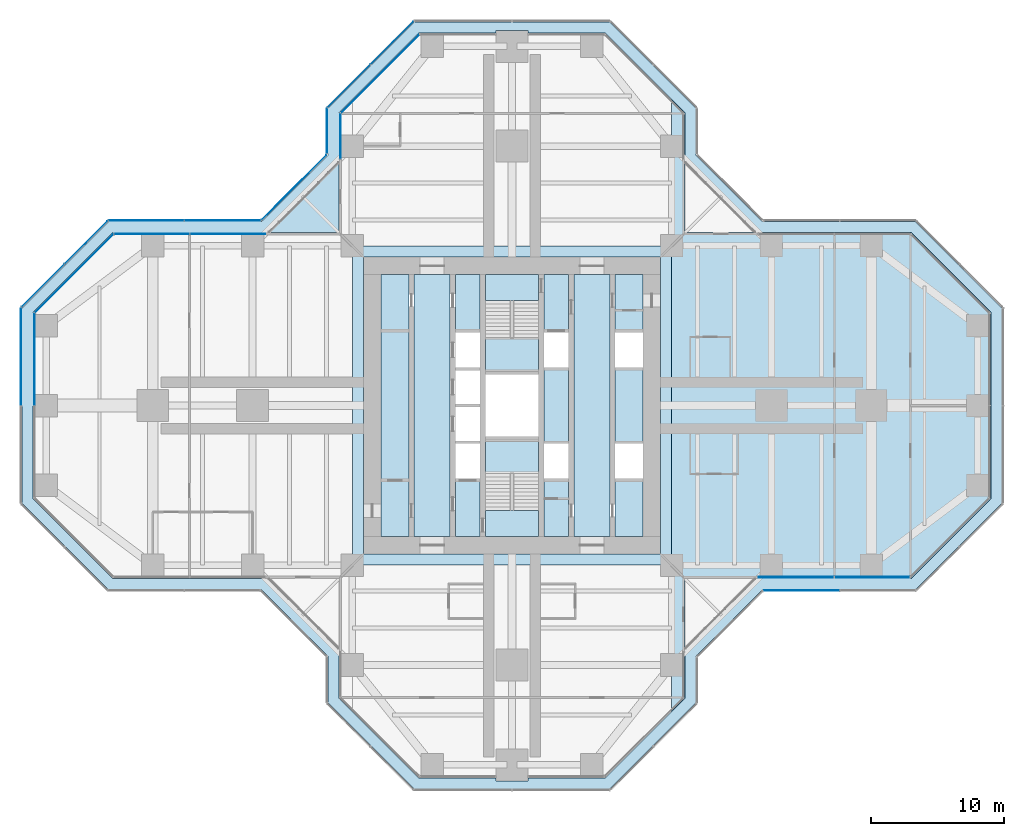
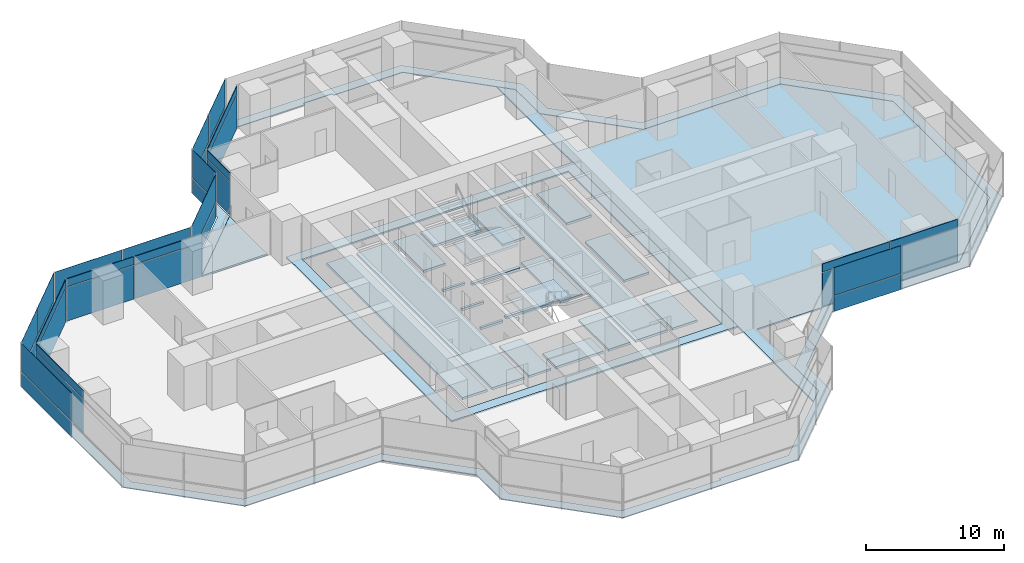
# One storey, part 13 of 19: 37 plates, 8 slabs, 15 elements without a shape of their own.
"""IFC4 building model written with IfcOpenShell, lengths in metres."""

from ifc_helpers import new_model, si_unit, direction, frame, origin, origin_2d, place, context, subcontext, project, spatial, polyline, rectangle, outline, extrude, material, layer, layer_set, type_object, element, aggregate, save


model = new_model("IFC4")

# Units and contexts
model_context = context("Model", 3, precision=1e-05, world=origin(), true_north=direction((0.0, 1.0)))
body_context = subcontext(model_context, "Body", "Model", "MODEL_VIEW")
ifc_project = project(units=[si_unit("LENGTHUNIT", "METRE"), si_unit("AREAUNIT", "SQUARE_METRE"), si_unit("VOLUMEUNIT", "CUBIC_METRE"), si_unit("PLANEANGLEUNIT", "RADIAN"), si_unit("MASSUNIT", "GRAM", prefix="KILO")], contexts=[model_context])

# Site, building, storey
site_placement = place(None, origin())
site = spatial("IfcSite", under=ifc_project, at=site_placement, CompositionType="ELEMENT")
building_placement = place(site_placement, origin())
building = spatial("IfcBuilding", under=site, at=building_placement, Name="Mizan Broadcast Tower", CompositionType="ELEMENT")
storey_placement = place(building_placement, frame((0.0, 0.0, 186.60009765625)))
storey = spatial("IfcBuildingStorey", under=building, at=storey_placement, Name="L43", CompositionType="ELEMENT", Elevation=186.60009765625)

# Plate
ifc_material_1 = material(Name="Aluminium grating", Category="aluminium")
ifc_layer_1 = layer(ifc_material_1, 0.050048828125)
ifc_layer_set_1 = layer_set([ifc_layer_1], Name="Aluminium grating")
plate_type_1 = type_object("IfcPlateType", Name="CAVITY GRATING", PredefinedType="USERDEFINED", material=ifc_layer_set_1)
plate_1_placement = place(storey_placement, frame((0.0, 0.0, -0.050048828125)))
element("IfcPlate", 1, at=plate_1_placement, inside=storey, type_object=plate_type_1, Name="Cavity grating L43", ObjectType="GRATING", PredefinedType="USERDEFINED", context=body_context, shape_type="SweptSolid", body=[
    extrude(outline(polyline([(13.820068359375, -18.839599609375), (18.839599609375, -13.820068359375), (30.339599609375, -13.820068359375), (36.820068359375, -7.339599609375), (36.820068359375, 7.339599609375), (30.339599609375, 13.820068359375), (18.839599609375, 13.820068359375), (13.820068359375, 18.839599609375), (13.820068359375, 22.339599609375), (7.339599609375, 28.820068359375), (-7.339599609375, 28.820068359375), (-13.820068359375, 22.339599609375), (-13.820068359375, 18.839599609375), (-18.839599609375, 13.820068359375), (-30.339599609375, 13.820068359375), (-36.820068359375, 7.339599609375), (-36.820068359375, -7.339599609375), (-30.339599609375, -13.820068359375), (-18.839599609375, -13.820068359375), (-13.820068359375, -18.839599609375), (-13.820068359375, -22.339599609375), (-7.339599609375, -28.820068359375), (7.339599609375, -28.820068359375), (13.820068359375, -22.339599609375), (13.820068359375, -18.839599609375)]), holes=[polyline([(36.0, 7.0), (36.0, -7.0), (30.0, -13.0), (18.5, -13.0), (13.0, -18.5), (13.0, -22.0), (7.0, -28.0), (1.199951171875, -28.0), (1.199951171875, -28.199951171875), (-1.199951171875, -28.199951171875), (-1.199951171875, -28.0), (-7.0, -28.0), (-13.0, -22.0), (-13.0, -18.5), (-18.5, -13.0), (-30.0, -13.0), (-36.0, -7.0), (-36.0, 7.0), (-30.0, 13.0), (-18.5, 13.0), (-13.0, 18.5), (-13.0, 22.0), (-7.0, 28.0), (-1.199951171875, 28.0), (-1.199951171875, 28.199951171875), (1.199951171875, 28.199951171875), (1.199951171875, 28.0), (7.0, 28.0), (13.0, 22.0), (13.0, 18.5), (18.5, 13.0), (30.0, 13.0), (36.0, 7.0)])]), origin(), (0.0, 0.0, 1.0), 0.050048828125),
])

# Slabs
ifc_material_2 = material(Name="Concrete C32/40", Category="concrete")
ifc_layer_2 = layer(ifc_material_2, 0.1298828125)
ifc_layer_set_2 = layer_set([ifc_layer_2], Name="Concrete C32/40")
slab_type_1 = type_object("IfcSlabType", Name="COMPOSITE DECK SLAB 130", PredefinedType="FLOOR", material=ifc_layer_set_2)
slab_1_placement = place(storey_placement, frame((0.0, 0.0, -0.130126953125)))
element("IfcSlab", 2, at=slab_1_placement, inside=storey, type_object=slab_type_1, Name="Floor slab L43 centre", PredefinedType="FLOOR", context=body_context, shape_type="SweptSolid", body=[
    extrude(outline(polyline([(-12.0, -12.0), (12.0, -12.0), (12.0, 12.0), (-12.0, 12.0), (-12.0, -12.0)]), holes=[polyline([(-11.14990234375, 11.14990234375), (11.14990234375, 11.14990234375), (11.14990234375, -11.14990234375), (-11.14990234375, -11.14990234375), (-11.14990234375, 11.14990234375)])]), origin(), (0.0, 0.0, 1.0), 0.130126953125),
])
slab_2_placement = place(storey_placement, frame((0.0, 0.0, -0.130126953125)))
element("IfcSlab", 3, at=slab_2_placement, inside=storey, type_object=slab_type_1, Name="Floor slab L43 east arm", PredefinedType="FLOOR", context=body_context, shape_type="SweptSolid", body=[
    extrude(outline(polyline([(12.0, -23.0), (13.0, -22.0), (13.0, -13.0), (30.0, -13.0), (36.0, -7.0), (36.0, 7.0), (30.0, 13.0), (13.0, 13.0), (13.0, 22.0), (12.0, 23.0), (12.0, -23.0)])), origin(), (0.0, 0.0, 1.0), 0.130126953125),
])
ifc_material_3 = material(Name="Concrete C40/50", Category="concrete")
ifc_layer_3 = layer(ifc_material_3, 0.199951171875)
ifc_layer_set_3 = layer_set([ifc_layer_3], Name="Concrete C40/50")
slab_type_2 = type_object("IfcSlabType", Name="CORE FLOOR 200", PredefinedType="FLOOR", material=ifc_layer_set_3)
slab_3_placement = place(storey_placement, frame((0.0, 0.0, -0.2001953125)))
element("IfcSlab", 4, at=slab_3_placement, inside=storey, type_object=slab_type_2, Name="Core floor L43", PredefinedType="FLOOR", context=body_context, shape_type="SweptSolid", body=[
    extrude(outline(polyline([(-9.85009765625, -9.85009765625), (-7.75, -9.85009765625), (-7.75, 9.85009765625), (-9.85009765625, 9.85009765625), (-9.85009765625, -9.85009765625)])), origin(), (0.0, 0.0, 1.0), 0.2001953125),
    extrude(outline(polyline([(-4.64990234375, 9.85009765625), (-7.35009765625, 9.85009765625), (-7.35009765625, -9.85009765625), (-4.64990234375, -9.85009765625), (-4.64990234375, 9.85009765625)])), origin(), (0.0, 0.0, 1.0), 0.2001953125),
    extrude(outline(polyline([(-4.25, -5.5), (-4.25, -9.85009765625), (-2.39990234375, -9.85009765625), (-2.39990234375, -5.5), (-4.25, -5.5)])), origin(), (0.0, 0.0, 1.0), 0.2001953125),
    extrude(outline(polyline([(-4.25, -2.85009765625), (-2.39990234375, -2.85009765625), (-2.39990234375, -2.64990234375), (-4.25, -2.64990234375), (-4.25, -2.85009765625)])), origin(), (0.0, 0.0, 1.0), 0.2001953125),
    extrude(outline(polyline([(-4.25, -0.10009765625), (-2.39990234375, -0.10009765625), (-2.39990234375, 0.10009765625), (-4.25, 0.10009765625), (-4.25, -0.10009765625)])), origin(), (0.0, 0.0, 1.0), 0.2001953125),
    extrude(outline(polyline([(-4.25, 2.64990234375), (-2.39990234375, 2.64990234375), (-2.39990234375, 2.85009765625), (-4.25, 2.85009765625), (-4.25, 2.64990234375)])), origin(), (0.0, 0.0, 1.0), 0.2001953125),
    extrude(outline(polyline([(-4.25, 5.5), (-2.39990234375, 5.5), (-2.39990234375, 9.85009765625), (-4.25, 9.85009765625), (-4.25, 5.5)])), origin(), (0.0, 0.0, 1.0), 0.2001953125),
    extrude(outline(polyline([(2.0, -2.324951171875), (-2.0, -2.324951171875), (-2.0, -2.574951171875), (2.0, -2.574951171875), (2.0, -2.324951171875)])), origin(), (0.0, 0.0, 1.0), 0.2001953125),
    extrude(outline(polyline([(2.0, 2.574951171875), (-2.0, 2.574951171875), (-2.0, 2.324951171875), (2.0, 2.324951171875), (2.0, 2.574951171875)])), origin(), (0.0, 0.0, 1.0), 0.2001953125),
    extrude(outline(polyline([(4.25, -9.85009765625), (4.25, -5.5), (2.39990234375, -5.5), (2.39990234375, -9.85009765625), (4.25, -9.85009765625)])), origin(), (0.0, 0.0, 1.0), 0.2001953125),
    extrude(outline(polyline([(4.25, -2.85009765625), (4.25, 2.85009765625), (2.39990234375, 2.85009765625), (2.39990234375, -2.85009765625), (4.25, -2.85009765625)])), origin(), (0.0, 0.0, 1.0), 0.2001953125),
    extrude(outline(polyline([(4.25, 5.5), (4.25, 9.85009765625), (2.39990234375, 9.85009765625), (2.39990234375, 5.5), (4.25, 5.5)])), origin(), (0.0, 0.0, 1.0), 0.2001953125),
    extrude(outline(polyline([(4.64990234375, 9.85009765625), (4.64990234375, -9.85009765625), (7.35009765625, -9.85009765625), (7.35009765625, 9.85009765625), (4.64990234375, 9.85009765625)])), origin(), (0.0, 0.0, 1.0), 0.2001953125),
    extrude(outline(polyline([(9.85009765625, -9.85009765625), (9.85009765625, -5.5), (7.75, -5.5), (7.75, -9.85009765625), (9.85009765625, -9.85009765625)])), origin(), (0.0, 0.0, 1.0), 0.2001953125),
    extrude(outline(polyline([(7.75, -2.85009765625), (9.85009765625, -2.85009765625), (9.85009765625, 2.85009765625), (7.75, 2.85009765625), (7.75, -2.85009765625)])), origin(), (0.0, 0.0, 1.0), 0.2001953125),
    extrude(outline(polyline([(9.85009765625, 5.5), (9.85009765625, 9.85009765625), (7.75, 9.85009765625), (7.75, 5.5), (9.85009765625, 5.5)])), origin(), (0.0, 0.0, 1.0), 0.2001953125),
])

# Curtain wall, plates
ifc_material_4 = material(Name="Aluminium framed glazing", Category="aluminium")
curtain_wall_type_1 = type_object("IfcCurtainWallType", Name="INNER SKIN MID ZONE", PredefinedType="USERDEFINED", material=ifc_material_4)
curtain_wall_1_placement = place(storey_placement, origin())
curtain_wall_1 = element("IfcCurtainWall", 5, at=curtain_wall_1_placement, inside=storey, type_object=curtain_wall_type_1, Name="Inner skin mid zone L43 E side", ObjectType="INNER SKIN MID ZONE", PredefinedType="USERDEFINED")
ifc_material_5 = material(Name="Double glazing, clear low-e", Category="glass")
ifc_layer_4 = layer(ifc_material_5, 0.028076171875)
ifc_layer_set_4 = layer_set([ifc_layer_4], Name="Double glazing, clear low-e")
plate_type_2 = type_object("IfcPlateType", Name="INNER SKIN GLAZING UNIT", PredefinedType="CURTAIN_PANEL", material=ifc_layer_set_4)
plate_2_placement = place(storey_placement, frame((21.379638671875, -12.89990234375, 0.0), z_axis=(0.0, 0.0, 1.0), x_axis=(1.0, 0.0, 0.0)))
plate_2 = element("IfcPlate", 6, at=plate_2_placement, type_object=plate_type_2, Name="Inner skin mid zone L43 E side panel 1.1", PredefinedType="CURTAIN_PANEL", context=body_context, shape_type="SweptSolid", body=[
    extrude(rectangle(XDim=5.639404296875, YDim=0.028076171875, at=origin_2d()), origin(), (0.0, 0.0, 1.0), 3.0),
])
plate_3_placement = place(storey_placement, frame((27.078857421875, -12.89990234375, 0.0), z_axis=(0.0, 0.0, 1.0), x_axis=(1.0, 0.0, 0.0)))
plate_3 = element("IfcPlate", 7, at=plate_3_placement, type_object=plate_type_2, Name="Inner skin mid zone L43 E side panel 2.1", PredefinedType="CURTAIN_PANEL", context=body_context, shape_type="SweptSolid", body=[
    extrude(rectangle(XDim=5.639404296875, YDim=0.028076171875, at=origin_2d()), origin(), (0.0, 0.0, 1.0), 3.0),
])

# Curtain wall, plate
curtain_wall_2_placement = place(storey_placement, origin())
curtain_wall_2 = element("IfcCurtainWall", 8, at=curtain_wall_2_placement, inside=storey, type_object=curtain_wall_type_1, Name="Inner skin mid zone L43 N chamfer", ObjectType="INNER SKIN MID ZONE", PredefinedType="USERDEFINED")
plate_4_placement = place(storey_placement, frame((-9.92919921875, 24.92919921875, 0.0), z_axis=(0.0, 0.0, 1.0), x_axis=(-0.707106781187, -0.707106781187, 0.0)))
plate_4 = element("IfcPlate", 9, at=plate_4_placement, type_object=plate_type_2, Name="Inner skin mid zone L43 N chamfer panel 1.1", PredefinedType="CURTAIN_PANEL", context=body_context, shape_type="SweptSolid", body=[
    extrude(rectangle(XDim=8.282470703125, YDim=0.028076171875, at=origin_2d()), origin(), (0.0, 0.0, 1.0), 3.0),
])

curtain_wall_3_placement = place(storey_placement, origin())
curtain_wall_3 = element("IfcCurtainWall", 10, at=curtain_wall_3_placement, inside=storey, type_object=curtain_wall_type_1, Name="Inner skin mid zone L43 N side", ObjectType="INNER SKIN MID ZONE", PredefinedType="USERDEFINED")
plate_5_placement = place(storey_placement, frame((-12.89990234375, 20.229248046875, 0.0), z_axis=(0.0, 0.0, 1.0), x_axis=(0.0, -1.0, 0.0)))
plate_5 = element("IfcPlate", 11, at=plate_5_placement, type_object=plate_type_2, Name="Inner skin mid zone L43 N side panel 1.1", PredefinedType="CURTAIN_PANEL", context=body_context, shape_type="SweptSolid", body=[
    extrude(rectangle(XDim=3.338623046875, YDim=0.028076171875, at=origin_2d()), origin(), (0.0, 0.0, 1.0), 3.0),
])

# Curtain wall, plates
curtain_wall_4_placement = place(storey_placement, origin())
curtain_wall_4 = element("IfcCurtainWall", 12, at=curtain_wall_4_placement, inside=storey, type_object=curtain_wall_type_1, Name="Inner skin mid zone L43 W side", ObjectType="INNER SKIN MID ZONE", PredefinedType="USERDEFINED")
plate_6_placement = place(storey_placement, frame((-21.379638671875, 12.89990234375, 0.0), z_axis=(0.0, 0.0, 1.0), x_axis=(-1.0, 0.0, 0.0)))
plate_6 = element("IfcPlate", 13, at=plate_6_placement, type_object=plate_type_2, Name="Inner skin mid zone L43 W side panel 1.1", PredefinedType="CURTAIN_PANEL", context=body_context, shape_type="SweptSolid", body=[
    extrude(rectangle(XDim=5.639404296875, YDim=0.028076171875, at=origin_2d()), origin(), (0.0, 0.0, 1.0), 3.0),
])
plate_7_placement = place(storey_placement, frame((-27.078857421875, 12.89990234375, 0.0), z_axis=(0.0, 0.0, 1.0), x_axis=(-1.0, 0.0, 0.0)))
plate_7 = element("IfcPlate", 14, at=plate_7_placement, type_object=plate_type_2, Name="Inner skin mid zone L43 W side panel 2.1", PredefinedType="CURTAIN_PANEL", context=body_context, shape_type="SweptSolid", body=[
    extrude(rectangle(XDim=5.639404296875, YDim=0.028076171875, at=origin_2d()), origin(), (0.0, 0.0, 1.0), 3.0),
])

# Curtain wall, plate
curtain_wall_5_placement = place(storey_placement, origin())
curtain_wall_5 = element("IfcCurtainWall", 15, at=curtain_wall_5_placement, inside=storey, type_object=curtain_wall_type_1, Name="Inner skin mid zone L43 W chamfer", ObjectType="INNER SKIN MID ZONE", PredefinedType="USERDEFINED")
plate_8_placement = place(storey_placement, frame((-32.92919921875, 9.92919921875, 0.0), z_axis=(0.0, 0.0, 1.0), x_axis=(-0.707106781187, -0.707106781187, 0.0)))
plate_8 = element("IfcPlate", 16, at=plate_8_placement, type_object=plate_type_2, Name="Inner skin mid zone L43 W chamfer panel 1.1", PredefinedType="CURTAIN_PANEL", context=body_context, shape_type="SweptSolid", body=[
    extrude(rectangle(XDim=8.282470703125, YDim=0.028076171875, at=origin_2d()), origin(), (0.0, 0.0, 1.0), 3.0),
])

curtain_wall_6_placement = place(storey_placement, origin())
curtain_wall_6 = element("IfcCurtainWall", 17, at=curtain_wall_6_placement, inside=storey, type_object=curtain_wall_type_1, Name="Inner skin mid zone L43 W end", ObjectType="INNER SKIN MID ZONE", PredefinedType="USERDEFINED")
plate_9_placement = place(storey_placement, frame((-35.89990234375, 3.46435546875, 0.0), z_axis=(0.0, 0.0, 1.0), x_axis=(0.0, -1.0, 0.0)))
plate_9 = element("IfcPlate", 18, at=plate_9_placement, type_object=plate_type_2, Name="Inner skin mid zone L43 W end panel 1.1", PredefinedType="CURTAIN_PANEL", context=body_context, shape_type="SweptSolid", body=[
    extrude(rectangle(XDim=6.86865234375, YDim=0.028076171875, at=origin_2d()), origin(), (0.0, 0.0, 1.0), 3.0),
])

# Plate
ifc_material_6 = material(Name="Insulated aluminium spandrel panel, pale anodised", Category="aluminium")
ifc_layer_5 = layer(ifc_material_6, 0.050048828125)
ifc_layer_set_5 = layer_set([ifc_layer_5], Name="Insulated aluminium spandrel panel, pale anodised")
plate_type_3 = type_object("IfcPlateType", Name="INNER SKIN SPANDREL PANEL", PredefinedType="CURTAIN_PANEL", material=ifc_layer_set_5)
plate_10_placement = place(storey_placement, frame((21.379638671875, -12.89990234375, 3.059814453125), z_axis=(0.0, 0.0, 1.0), x_axis=(1.0, 0.0, 0.0)))
plate_10 = element("IfcPlate", 19, at=plate_10_placement, type_object=plate_type_3, Name="Inner skin mid zone L43 E side panel 1.2", PredefinedType="CURTAIN_PANEL", context=body_context, shape_type="SweptSolid", body=[
    extrude(rectangle(XDim=5.639404296875, YDim=0.050048828125, at=origin_2d()), origin(), (0.0, 0.0, 1.0), 0.7099609375),
])

plate_11_placement = place(storey_placement, frame((27.078857421875, -12.89990234375, 3.059814453125), z_axis=(0.0, 0.0, 1.0), x_axis=(1.0, 0.0, 0.0)))
plate_11 = element("IfcPlate", 20, at=plate_11_placement, type_object=plate_type_3, Name="Inner skin mid zone L43 E side panel 2.2", PredefinedType="CURTAIN_PANEL", context=body_context, shape_type="SweptSolid", body=[
    extrude(rectangle(XDim=5.639404296875, YDim=0.050048828125, at=origin_2d()), origin(), (0.0, 0.0, 1.0), 0.7099609375),
])

aggregate(curtain_wall_1, [plate_2, plate_10, plate_3, plate_11])

plate_12_placement = place(storey_placement, frame((-9.92919921875, 24.92919921875, 3.059814453125), z_axis=(0.0, 0.0, 1.0), x_axis=(-0.707106781187, -0.707106781187, 0.0)))
plate_12 = element("IfcPlate", 21, at=plate_12_placement, type_object=plate_type_3, Name="Inner skin mid zone L43 N chamfer panel 1.2", PredefinedType="CURTAIN_PANEL", context=body_context, shape_type="SweptSolid", body=[
    extrude(rectangle(XDim=8.282470703125, YDim=0.050048828125, at=origin_2d()), origin(), (0.0, 0.0, 1.0), 0.7099609375),
])

aggregate(curtain_wall_2, [plate_4, plate_12])

plate_13_placement = place(storey_placement, frame((-12.89990234375, 20.229248046875, 3.059814453125), z_axis=(0.0, 0.0, 1.0), x_axis=(0.0, -1.0, 0.0)))
plate_13 = element("IfcPlate", 22, at=plate_13_placement, type_object=plate_type_3, Name="Inner skin mid zone L43 N side panel 1.2", PredefinedType="CURTAIN_PANEL", context=body_context, shape_type="SweptSolid", body=[
    extrude(rectangle(XDim=3.338623046875, YDim=0.050048828125, at=origin_2d()), origin(), (0.0, 0.0, 1.0), 0.7099609375),
])

aggregate(curtain_wall_3, [plate_5, plate_13])

plate_14_placement = place(storey_placement, frame((-21.379638671875, 12.89990234375, 3.059814453125), z_axis=(0.0, 0.0, 1.0), x_axis=(-1.0, 0.0, 0.0)))
plate_14 = element("IfcPlate", 23, at=plate_14_placement, type_object=plate_type_3, Name="Inner skin mid zone L43 W side panel 1.2", PredefinedType="CURTAIN_PANEL", context=body_context, shape_type="SweptSolid", body=[
    extrude(rectangle(XDim=5.639404296875, YDim=0.050048828125, at=origin_2d()), origin(), (0.0, 0.0, 1.0), 0.7099609375),
])

plate_15_placement = place(storey_placement, frame((-27.078857421875, 12.89990234375, 3.059814453125), z_axis=(0.0, 0.0, 1.0), x_axis=(-1.0, 0.0, 0.0)))
plate_15 = element("IfcPlate", 24, at=plate_15_placement, type_object=plate_type_3, Name="Inner skin mid zone L43 W side panel 2.2", PredefinedType="CURTAIN_PANEL", context=body_context, shape_type="SweptSolid", body=[
    extrude(rectangle(XDim=5.639404296875, YDim=0.050048828125, at=origin_2d()), origin(), (0.0, 0.0, 1.0), 0.7099609375),
])

aggregate(curtain_wall_4, [plate_6, plate_14, plate_7, plate_15])

plate_16_placement = place(storey_placement, frame((-32.92919921875, 9.92919921875, 3.059814453125), z_axis=(0.0, 0.0, 1.0), x_axis=(-0.707106781187, -0.707106781187, 0.0)))
plate_16 = element("IfcPlate", 25, at=plate_16_placement, type_object=plate_type_3, Name="Inner skin mid zone L43 W chamfer panel 1.2", PredefinedType="CURTAIN_PANEL", context=body_context, shape_type="SweptSolid", body=[
    extrude(rectangle(XDim=8.282470703125, YDim=0.050048828125, at=origin_2d()), origin(), (0.0, 0.0, 1.0), 0.7099609375),
])

aggregate(curtain_wall_5, [plate_8, plate_16])

plate_17_placement = place(storey_placement, frame((-35.89990234375, 3.46435546875, 3.059814453125), z_axis=(0.0, 0.0, 1.0), x_axis=(0.0, -1.0, 0.0)))
plate_17 = element("IfcPlate", 26, at=plate_17_placement, type_object=plate_type_3, Name="Inner skin mid zone L43 W end panel 1.2", PredefinedType="CURTAIN_PANEL", context=body_context, shape_type="SweptSolid", body=[
    extrude(rectangle(XDim=6.86865234375, YDim=0.050048828125, at=origin_2d()), origin(), (0.0, 0.0, 1.0), 0.7099609375),
])

aggregate(curtain_wall_6, [plate_9, plate_17])

# Curtain wall, plates
ifc_material_7 = material(Name="Aluminium framed glazing", Category="aluminium")
curtain_wall_type_2 = type_object("IfcCurtainWallType", Name="OUTER SKIN", PredefinedType="USERDEFINED", material=ifc_material_7)
curtain_wall_7_placement = place(storey_placement, origin())
curtain_wall_7 = element("IfcCurtainWall", 27, at=curtain_wall_7_placement, inside=storey, type_object=curtain_wall_type_2, Name="Outer skin L43 N chamfer", ObjectType="OUTER SKIN", PredefinedType="USERDEFINED")
ifc_material_8 = material(Name="Laminated clear glass", Category="glass")
ifc_layer_6 = layer(ifc_material_8, 0.02001953125)
ifc_layer_set_6 = layer_set([ifc_layer_6], Name="Laminated clear glass")
plate_type_4 = type_object("IfcPlateType", Name="OUTER SKIN CLEAR GLASS", PredefinedType="CURTAIN_PANEL", material=ifc_layer_set_6)
plate_18_placement = place(storey_placement, frame((-9.018798828125, 27.254150390625, -0.000244140625), z_axis=(0.0, 0.0, 1.0), x_axis=(-0.707106781187, -0.707106781187, 0.0)))
plate_18 = element("IfcPlate", 28, at=plate_18_placement, type_object=plate_type_4, Name="Outer skin L43 N chamfer panel 1.1", PredefinedType="CURTAIN_PANEL", context=body_context, shape_type="SweptSolid", body=[
    extrude(rectangle(XDim=4.495361328125, YDim=0.02001953125, at=origin_2d()), origin(), (0.0, 0.0, 1.0), 1.3701171875),
])
plate_19_placement = place(storey_placement, frame((-9.018798828125, 27.254150390625, 1.4296875), z_axis=(0.0, 0.0, 1.0), x_axis=(-0.707106781187, -0.707106781187, 0.0)))
plate_19 = element("IfcPlate", 29, at=plate_19_placement, type_object=plate_type_4, Name="Outer skin L43 N chamfer panel 1.2", PredefinedType="CURTAIN_PANEL", context=body_context, shape_type="SweptSolid", body=[
    extrude(rectangle(XDim=4.495361328125, YDim=0.02001953125, at=origin_2d()), origin(), (0.0, 0.0, 1.0), 2.469970703125),
])

curtain_wall_8_placement = place(storey_placement, origin())
curtain_wall_8 = element("IfcCurtainWall", 30, at=curtain_wall_8_placement, inside=storey, type_object=curtain_wall_type_2, Name="Outer skin L43 N side", ObjectType="OUTER SKIN", PredefinedType="USERDEFINED")
plate_20_placement = place(storey_placement, frame((-13.89990234375, 20.622802734375, -0.000244140625), z_axis=(0.0, 0.0, 1.0), x_axis=(0.0, -1.0, 0.0)))
plate_20 = element("IfcPlate", 31, at=plate_20_placement, type_object=plate_type_4, Name="Outer skin L43 N side panel 1.1", PredefinedType="CURTAIN_PANEL", context=body_context, shape_type="SweptSolid", body=[
    extrude(rectangle(XDim=3.340087890625, YDim=0.02001953125, at=origin_2d()), origin(), (0.0, 0.0, 1.0), 1.3701171875),
])
plate_21_placement = place(storey_placement, frame((-13.89990234375, 20.622802734375, 1.4296875), z_axis=(0.0, 0.0, 1.0), x_axis=(0.0, -1.0, 0.0)))
plate_21 = element("IfcPlate", 32, at=plate_21_placement, type_object=plate_type_4, Name="Outer skin L43 N side panel 1.2", PredefinedType="CURTAIN_PANEL", context=body_context, shape_type="SweptSolid", body=[
    extrude(rectangle(XDim=3.340087890625, YDim=0.02001953125, at=origin_2d()), origin(), (0.0, 0.0, 1.0), 2.469970703125),
])
aggregate(curtain_wall_8, [plate_20, plate_21])

curtain_wall_9_placement = place(storey_placement, origin())
curtain_wall_9 = element("IfcCurtainWall", 33, at=curtain_wall_9_placement, inside=storey, type_object=curtain_wall_type_2, Name="Outer skin L43 W chamfer", ObjectType="OUTER SKIN", PredefinedType="USERDEFINED")
plate_22_placement = place(storey_placement, frame((-16.386474609375, 16.386474609375, -0.000244140625), z_axis=(0.0, 0.0, 1.0), x_axis=(-0.707106781187, -0.707106781187, 0.0)))
plate_22 = element("IfcPlate", 34, at=plate_22_placement, type_object=plate_type_4, Name="Outer skin L43 W chamfer panel 1.1", PredefinedType="CURTAIN_PANEL", context=body_context, shape_type="SweptSolid", body=[
    extrude(rectangle(XDim=6.87255859375, YDim=0.02001953125, at=origin_2d()), origin(), (0.0, 0.0, 1.0), 1.3701171875),
])
plate_23_placement = place(storey_placement, frame((-16.386474609375, 16.386474609375, 1.4296875), z_axis=(0.0, 0.0, 1.0), x_axis=(-0.707106781187, -0.707106781187, 0.0)))
plate_23 = element("IfcPlate", 35, at=plate_23_placement, type_object=plate_type_4, Name="Outer skin L43 W chamfer panel 1.2", PredefinedType="CURTAIN_PANEL", context=body_context, shape_type="SweptSolid", body=[
    extrude(rectangle(XDim=6.87255859375, YDim=0.02001953125, at=origin_2d()), origin(), (0.0, 0.0, 1.0), 2.469970703125),
])
aggregate(curtain_wall_9, [plate_22, plate_23])

curtain_wall_10_placement = place(storey_placement, origin())
curtain_wall_10 = element("IfcCurtainWall", 36, at=curtain_wall_10_placement, inside=storey, type_object=curtain_wall_type_2, Name="Outer skin L43 W side", ObjectType="OUTER SKIN", PredefinedType="USERDEFINED")
plate_24_placement = place(storey_placement, frame((-21.767822265625, 13.89990234375, -0.000244140625), z_axis=(0.0, 0.0, 1.0), x_axis=(-1.0, 0.0, 0.0)))
plate_24 = element("IfcPlate", 37, at=plate_24_placement, type_object=plate_type_4, Name="Outer skin L43 W side panel 1.1", PredefinedType="CURTAIN_PANEL", context=body_context, shape_type="SweptSolid", body=[
    extrude(rectangle(XDim=5.6298828125, YDim=0.02001953125, at=origin_2d()), origin(), (0.0, 0.0, 1.0), 1.3701171875),
])
plate_25_placement = place(storey_placement, frame((-21.767822265625, 13.89990234375, 1.4296875), z_axis=(0.0, 0.0, 1.0), x_axis=(-1.0, 0.0, 0.0)))
plate_25 = element("IfcPlate", 38, at=plate_25_placement, type_object=plate_type_4, Name="Outer skin L43 W side panel 1.2", PredefinedType="CURTAIN_PANEL", context=body_context, shape_type="SweptSolid", body=[
    extrude(rectangle(XDim=5.6298828125, YDim=0.02001953125, at=origin_2d()), origin(), (0.0, 0.0, 1.0), 2.469970703125),
])
plate_26_placement = place(storey_placement, frame((-27.477783203125, 13.89990234375, -0.000244140625), z_axis=(0.0, 0.0, 1.0), x_axis=(-1.0, 0.0, 0.0)))
plate_26 = element("IfcPlate", 39, at=plate_26_placement, type_object=plate_type_4, Name="Outer skin L43 W side panel 2.1", PredefinedType="CURTAIN_PANEL", context=body_context, shape_type="SweptSolid", body=[
    extrude(rectangle(XDim=5.6298828125, YDim=0.02001953125, at=origin_2d()), origin(), (0.0, 0.0, 1.0), 1.3701171875),
])
plate_27_placement = place(storey_placement, frame((-27.477783203125, 13.89990234375, 1.4296875), z_axis=(0.0, 0.0, 1.0), x_axis=(-1.0, 0.0, 0.0)))
plate_27 = element("IfcPlate", 40, at=plate_27_placement, type_object=plate_type_4, Name="Outer skin L43 W side panel 2.2", PredefinedType="CURTAIN_PANEL", context=body_context, shape_type="SweptSolid", body=[
    extrude(rectangle(XDim=5.6298828125, YDim=0.02001953125, at=origin_2d()), origin(), (0.0, 0.0, 1.0), 2.469970703125),
])
aggregate(curtain_wall_10, [plate_24, plate_25, plate_26, plate_27])

curtain_wall_11_placement = place(storey_placement, origin())
curtain_wall_11 = element("IfcCurtainWall", 41, at=curtain_wall_11_placement, inside=storey, type_object=curtain_wall_type_2, Name="Outer skin L43 W chamfer", ObjectType="OUTER SKIN", PredefinedType="USERDEFINED")
plate_28_placement = place(storey_placement, frame((-32.018798828125, 12.254150390625, -0.000244140625), z_axis=(0.0, 0.0, 1.0), x_axis=(-0.707106781187, -0.707106781187, 0.0)))
plate_28 = element("IfcPlate", 42, at=plate_28_placement, type_object=plate_type_4, Name="Outer skin L43 W chamfer panel 1.1", PredefinedType="CURTAIN_PANEL", context=body_context, shape_type="SweptSolid", body=[
    extrude(rectangle(XDim=4.495361328125, YDim=0.02001953125, at=origin_2d()), origin(), (0.0, 0.0, 1.0), 1.3701171875),
])
plate_29_placement = place(storey_placement, frame((-32.018798828125, 12.254150390625, 1.4296875), z_axis=(0.0, 0.0, 1.0), x_axis=(-0.707106781187, -0.707106781187, 0.0)))
plate_29 = element("IfcPlate", 43, at=plate_29_placement, type_object=plate_type_4, Name="Outer skin L43 W chamfer panel 1.2", PredefinedType="CURTAIN_PANEL", context=body_context, shape_type="SweptSolid", body=[
    extrude(rectangle(XDim=4.495361328125, YDim=0.02001953125, at=origin_2d()), origin(), (0.0, 0.0, 1.0), 2.469970703125),
])

curtain_wall_12_placement = place(storey_placement, origin())
curtain_wall_12 = element("IfcCurtainWall", 44, at=curtain_wall_12_placement, inside=storey, type_object=curtain_wall_type_2, Name="Outer skin L43 W end", ObjectType="OUTER SKIN", PredefinedType="USERDEFINED")
plate_30_placement = place(storey_placement, frame((-36.89990234375, 3.66650390625, -0.000244140625), z_axis=(0.0, 0.0, 1.0), x_axis=(0.0, -1.0, 0.0)))
plate_30 = element("IfcPlate", 45, at=plate_30_placement, type_object=plate_type_4, Name="Outer skin L43 W end panel 1.1", PredefinedType="CURTAIN_PANEL", context=body_context, shape_type="SweptSolid", body=[
    extrude(rectangle(XDim=7.252685546875, YDim=0.02001953125, at=origin_2d()), origin(), (0.0, 0.0, 1.0), 1.3701171875),
])
plate_31_placement = place(storey_placement, frame((-36.89990234375, 3.66650390625, 1.4296875), z_axis=(0.0, 0.0, 1.0), x_axis=(0.0, -1.0, 0.0)))
plate_31 = element("IfcPlate", 46, at=plate_31_placement, type_object=plate_type_4, Name="Outer skin L43 W end panel 1.2", PredefinedType="CURTAIN_PANEL", context=body_context, shape_type="SweptSolid", body=[
    extrude(rectangle(XDim=7.252685546875, YDim=0.02001953125, at=origin_2d()), origin(), (0.0, 0.0, 1.0), 2.469970703125),
])
aggregate(curtain_wall_12, [plate_30, plate_31])

curtain_wall_13_placement = place(storey_placement, origin())
curtain_wall_13 = element("IfcCurtainWall", 47, at=curtain_wall_13_placement, inside=storey, type_object=curtain_wall_type_2, Name="Outer skin L43 E side", ObjectType="OUTER SKIN", PredefinedType="USERDEFINED")
plate_32_placement = place(storey_placement, frame((21.767822265625, -13.89990234375, -0.000244140625), z_axis=(0.0, 0.0, 1.0), x_axis=(1.0, 0.0, 0.0)))
plate_32 = element("IfcPlate", 48, at=plate_32_placement, type_object=plate_type_4, Name="Outer skin L43 E side panel 1.1", PredefinedType="CURTAIN_PANEL", context=body_context, shape_type="SweptSolid", body=[
    extrude(rectangle(XDim=5.6298828125, YDim=0.02001953125, at=origin_2d()), origin(), (0.0, 0.0, 1.0), 1.3701171875),
])
plate_33_placement = place(storey_placement, frame((21.767822265625, -13.89990234375, 1.4296875), z_axis=(0.0, 0.0, 1.0), x_axis=(1.0, 0.0, 0.0)))
plate_33 = element("IfcPlate", 49, at=plate_33_placement, type_object=plate_type_4, Name="Outer skin L43 E side panel 1.2", PredefinedType="CURTAIN_PANEL", context=body_context, shape_type="SweptSolid", body=[
    extrude(rectangle(XDim=5.6298828125, YDim=0.02001953125, at=origin_2d()), origin(), (0.0, 0.0, 1.0), 2.469970703125),
])
aggregate(curtain_wall_13, [plate_32, plate_33])

# Plate
ifc_material_9 = material(Name="Perforated aluminium, pale anodised", Category="aluminium")
ifc_layer_7 = layer(ifc_material_9, 0.011962890625)
ifc_layer_set_7 = layer_set([ifc_layer_7], Name="Perforated aluminium, pale anodised")
plate_type_5 = type_object("IfcPlateType", Name="OUTER SKIN PERFORATED SCREEN", PredefinedType="USERDEFINED", material=ifc_layer_set_7)
plate_34_placement = place(storey_placement, frame((-12.254150390625, 24.018798828125, -0.000244140625), z_axis=(0.0, 0.0, 1.0), x_axis=(-0.707106781187, -0.707106781187, 0.0)))
plate_34 = element("IfcPlate", 50, at=plate_34_placement, type_object=plate_type_5, Name="Outer skin L43 N chamfer panel 2.1", ObjectType="SCREEN", PredefinedType="USERDEFINED", context=body_context, shape_type="SweptSolid", body=[
    extrude(rectangle(XDim=4.495361328125, YDim=0.011962890625, at=origin_2d()), origin(), (0.0, 0.0, 1.0), 1.3701171875),
])

plate_35_placement = place(storey_placement, frame((-12.254150390625, 24.018798828125, 1.4296875), z_axis=(0.0, 0.0, 1.0), x_axis=(-0.707106781187, -0.707106781187, 0.0)))
plate_35 = element("IfcPlate", 51, at=plate_35_placement, type_object=plate_type_5, Name="Outer skin L43 N chamfer panel 2.2", ObjectType="SCREEN", PredefinedType="USERDEFINED", context=body_context, shape_type="SweptSolid", body=[
    extrude(rectangle(XDim=4.495361328125, YDim=0.011962890625, at=origin_2d()), origin(), (0.0, 0.0, 1.0), 2.469970703125),
])

aggregate(curtain_wall_7, [plate_18, plate_19, plate_34, plate_35])

plate_36_placement = place(storey_placement, frame((-35.254150390625, 9.018798828125, -0.000244140625), z_axis=(0.0, 0.0, 1.0), x_axis=(-0.707106781187, -0.707106781187, 0.0)))
plate_36 = element("IfcPlate", 52, at=plate_36_placement, type_object=plate_type_5, Name="Outer skin L43 W chamfer panel 2.1", ObjectType="SCREEN", PredefinedType="USERDEFINED", context=body_context, shape_type="SweptSolid", body=[
    extrude(rectangle(XDim=4.495361328125, YDim=0.011962890625, at=origin_2d()), origin(), (0.0, 0.0, 1.0), 1.3701171875),
])

plate_37_placement = place(storey_placement, frame((-35.254150390625, 9.018798828125, 1.4296875), z_axis=(0.0, 0.0, 1.0), x_axis=(-0.707106781187, -0.707106781187, 0.0)))
plate_37 = element("IfcPlate", 53, at=plate_37_placement, type_object=plate_type_5, Name="Outer skin L43 W chamfer panel 2.2", ObjectType="SCREEN", PredefinedType="USERDEFINED", context=body_context, shape_type="SweptSolid", body=[
    extrude(rectangle(XDim=4.495361328125, YDim=0.011962890625, at=origin_2d()), origin(), (0.0, 0.0, 1.0), 2.469970703125),
])

aggregate(curtain_wall_11, [plate_28, plate_29, plate_36, plate_37])

# Stair, slabs
ifc_material_10 = material(Name="Concrete C40/50", Category="concrete")
stair_type = type_object("IfcStairType", Name="EXIT STAIR", PredefinedType="HALF_TURN_STAIR", material=ifc_material_10)
stair_1_placement = place(storey_placement, origin())
stair_1 = element("IfcStair", 54, at=stair_1_placement, inside=storey, type_object=stair_type, Name="Stair A L43", PredefinedType="HALF_TURN_STAIR")
ifc_material_11 = material(Name="Concrete C40/50", Category="concrete")
ifc_layer_8 = layer(ifc_material_11, 0.199951171875)
ifc_layer_set_8 = layer_set([ifc_layer_8], Name="Concrete C40/50")
slab_type_3 = type_object("IfcSlabType", Name="STAIR LANDING 200", PredefinedType="LANDING", material=ifc_layer_set_8)
slab_4_placement = place(storey_placement, frame((0.0, 0.0, -0.2001953125)))
slab_4 = element("IfcSlab", 55, at=slab_4_placement, type_object=slab_type_3, Name="A landing 1", PredefinedType="LANDING", context=body_context, shape_type="SweptSolid", body=[
    extrude(outline(polyline([(-2.0, -9.85009765625), (-2.0, -7.89990234375), (2.0, -7.89990234375), (2.0, -9.85009765625), (-2.0, -9.85009765625)])), origin(), (0.0, 0.0, 1.0), 0.2001953125),
])
slab_5_placement = place(storey_placement, frame((0.0, 0.0, 1.75)))
slab_5 = element("IfcSlab", 56, at=slab_5_placement, type_object=slab_type_3, Name="A landing 2", PredefinedType="LANDING", context=body_context, shape_type="SweptSolid", body=[
    extrude(outline(polyline([(-2.0, -5.10009765625), (-2.0, -2.574951171875), (2.0, -2.574951171875), (2.0, -5.10009765625), (-2.0, -5.10009765625)])), origin(), (0.0, 0.0, 1.0), 0.199951171875),
])
aggregate(stair_1, [slab_4, slab_5])

stair_2_placement = place(storey_placement, origin())
stair_2 = element("IfcStair", 57, at=stair_2_placement, inside=storey, type_object=stair_type, Name="Stair B L43", PredefinedType="HALF_TURN_STAIR")
slab_6_placement = place(storey_placement, frame((0.0, 0.0, -0.2001953125)))
slab_6 = element("IfcSlab", 58, at=slab_6_placement, type_object=slab_type_3, Name="B landing 1", PredefinedType="LANDING", context=body_context, shape_type="SweptSolid", body=[
    extrude(outline(polyline([(2.0, 9.85009765625), (2.0, 7.89990234375), (-2.0, 7.89990234375), (-2.0, 9.85009765625), (2.0, 9.85009765625)])), origin(), (0.0, 0.0, 1.0), 0.2001953125),
])
slab_7_placement = place(storey_placement, frame((0.0, 0.0, 1.75)))
slab_7 = element("IfcSlab", 59, at=slab_7_placement, type_object=slab_type_3, Name="B landing 2", PredefinedType="LANDING", context=body_context, shape_type="SweptSolid", body=[
    extrude(outline(polyline([(2.0, 5.10009765625), (2.0, 2.574951171875), (-2.0, 2.574951171875), (-2.0, 5.10009765625), (2.0, 5.10009765625)])), origin(), (0.0, 0.0, 1.0), 0.199951171875),
])
aggregate(stair_2, [slab_6, slab_7])

# Slab
ifc_material_12 = material(Name="Concrete C32/40", Category="concrete")
ifc_layer_9 = layer(ifc_material_12, 0.1298828125)
ifc_layer_set_9 = layer_set([ifc_layer_9], Name="Concrete C32/40")
slab_type_4 = type_object("IfcSlabType", Name="WINTER GARDEN SLAB 130", PredefinedType="FLOOR", material=ifc_layer_set_9)
slab_8_placement = place(storey_placement, frame((0.0, 0.0, -0.130126953125)))
element("IfcSlab", 60, at=slab_8_placement, inside=storey, type_object=slab_type_4, Name="Winter garden slab L43 N", PredefinedType="FLOOR", context=body_context, shape_type="SweptSolid", body=[
    extrude(outline(polyline([(-13.0, 13.0), (-13.0, 18.5), (-18.5, 13.0), (-13.0, 13.0)])), origin(), (0.0, 0.0, 1.0), 0.130126953125),
])

save(model, "model.ifc")
